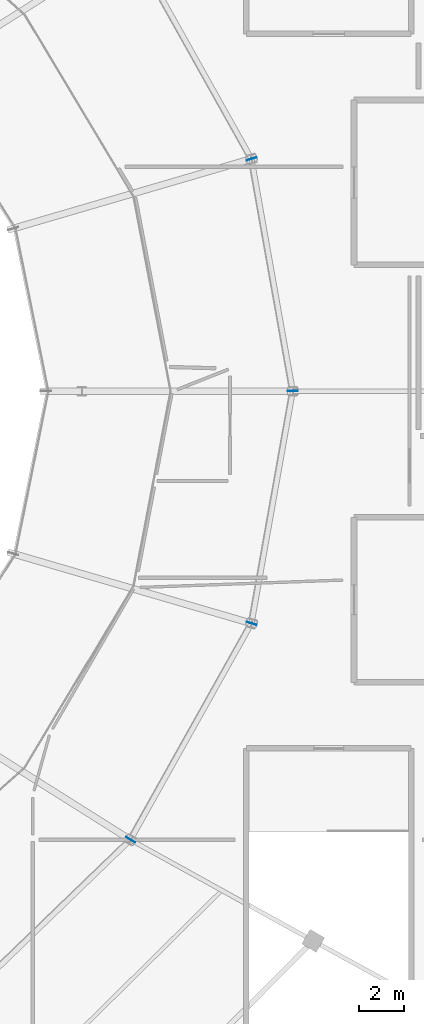
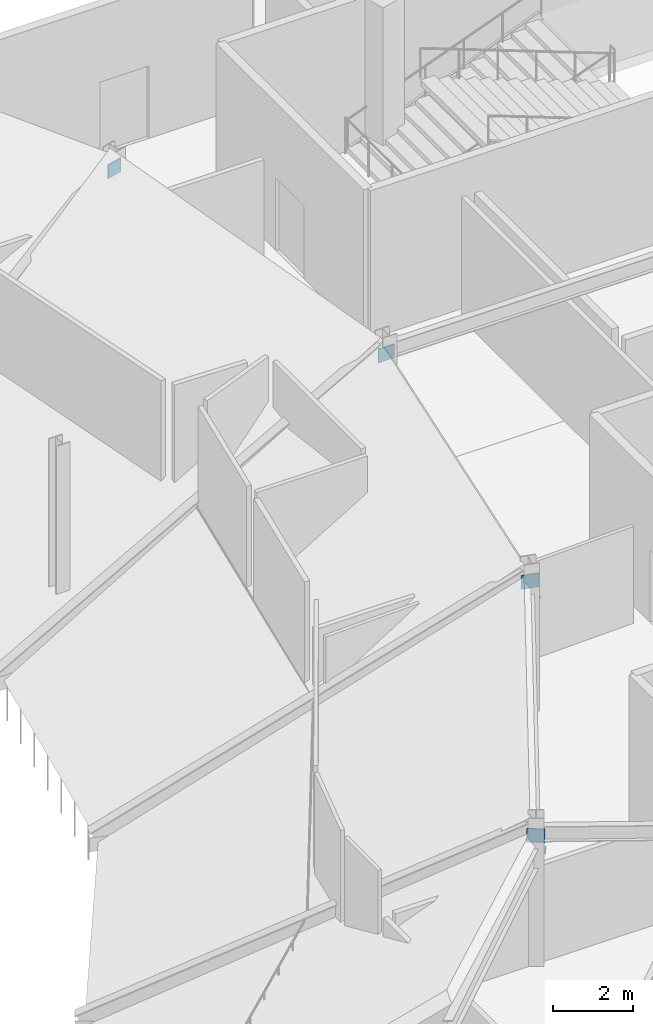
# One storey, part 30 of 63: 4 plates.
"""IFC4 building model written with IfcOpenShell, lengths in metres."""

from ifc_helpers import new_model, si_unit, direction, frame, origin, origin_2d, place, context, subcontext, project, spatial, rectangle, extrude, material, layer, layer_set, type_object, element, save


model = new_model("IFC4")

# Units and contexts
model_context = context("Model", 3, precision=1e-05, world=origin(), true_north=direction((0.0, 1.0)))
body_context = subcontext(model_context, "Body", "Model", "MODEL_VIEW")
ifc_project = project(units=[si_unit("LENGTHUNIT", "METRE"), si_unit("AREAUNIT", "SQUARE_METRE"), si_unit("VOLUMEUNIT", "CUBIC_METRE"), si_unit("PLANEANGLEUNIT", "RADIAN"), si_unit("MASSUNIT", "GRAM", prefix="KILO")], contexts=[model_context])

# Site, building, storey
site_placement = place(None, origin())
site = spatial("IfcSite", under=ifc_project, at=site_placement, CompositionType="ELEMENT")
building_placement = place(site_placement, origin())
building = spatial("IfcBuilding", under=site, at=building_placement, Name="Kalgoora Escarpment Arena", CompositionType="ELEMENT")
storey_placement = place(building_placement, frame((0.0, 0.0, 14.39990234375)))
storey = spatial("IfcBuildingStorey", under=building, at=storey_placement, Name="L03", CompositionType="ELEMENT", Elevation=14.39990234375)

# Plates
ifc_material = material(Name="Structural steel Grade 350 (350 MPa)", Category="steel")
ifc_layer = layer(ifc_material, 0.02490234375)
ifc_layer_set = layer_set([ifc_layer], Name="PLT-GUSSET-25")
plate_type = type_object("IfcPlateType", Name="PLT-GUSSET-25", PredefinedType="USERDEFINED", material=ifc_layer_set)
for number, where, z_axis, x_axis, name in (
    (1, (146.39990234375, 64.0, 3.64013671875), (0.0, 0.0, 1.0), (1.0, 0.0, 0.0), "Upper bowl raker wall embedment plate R01"),
    (2, (144.56005859375, 74.352783203125, 3.64013671875), (0.0, 0.0, 1.0), (0.959854262938, 0.280499187022, 0.0), "Upper bowl raker wall embedment plate R02"),
    (3, (139.165283203125, 44.0, 3.64013671875), (0.0, 0.0, 1.0), (0.846193166128, -0.532876276071, 0.0), "Upper bowl raker wall embedment plate R23"),
    (4, (144.56005859375, 53.647216796875, 3.64013671875), (0.0, 0.0, 1.0), (0.959854262938, -0.280499187022, 0.0), "Upper bowl raker wall embedment plate R24"),
):
    element("IfcPlate", number, at=place(storey_placement, frame(where, z_axis=z_axis, x_axis=x_axis)), inside=storey, type_object=plate_type, Name=name, ObjectType="FLANGE PLATE", PredefinedType="USERDEFINED", context=body_context, shape_type="SweptSolid", body=[
        extrude(rectangle(XDim=0.4599609375, YDim=0.02490234375, at=origin_2d()), origin(), (0.0, 0.0, 1.0), 0.419921875),
    ])

save(model, "model.ifc")
